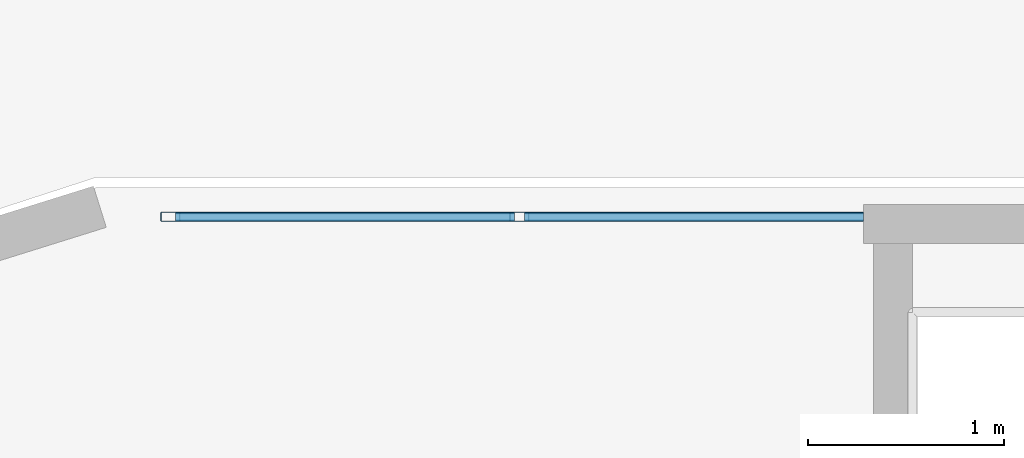
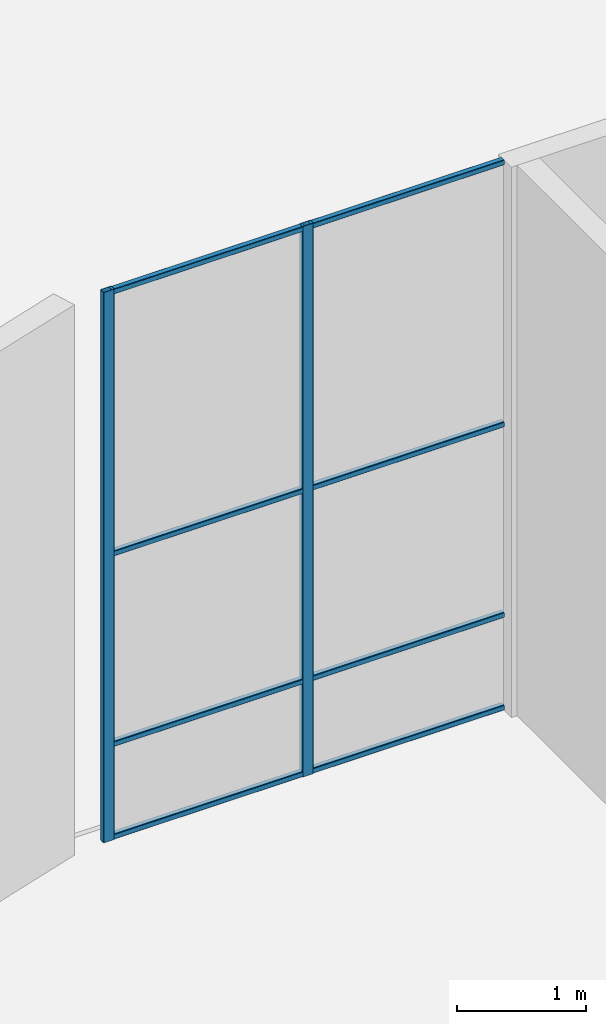
# One storey, part 20 of 72: 10 members, 1 element without a shape of its own.
"""IFC4 building model written with IfcOpenShell, lengths in metres."""

from ifc_helpers import new_model, si_unit, direction, frame, origin, origin_2d, place, context, subcontext, project, spatial, hollow_rectangle, extrude, material, layer, layer_set, material_profile, profile_set, type_object, element, aggregate, save


model = new_model("IFC4")

# Units and contexts
model_context = context("Model", 3, precision=1e-05, world=origin(), true_north=direction((0.0, 1.0)))
body_context = subcontext(model_context, "Body", "Model", "MODEL_VIEW")
ifc_project = project(units=[si_unit("LENGTHUNIT", "METRE"), si_unit("AREAUNIT", "SQUARE_METRE"), si_unit("VOLUMEUNIT", "CUBIC_METRE"), si_unit("PLANEANGLEUNIT", "RADIAN"), si_unit("MASSUNIT", "GRAM", prefix="KILO")], contexts=[model_context])

# Site, building, storey
site_placement = place(None, origin())
site = spatial("IfcSite", under=ifc_project, at=site_placement, CompositionType="ELEMENT")
building_placement = place(site_placement, origin())
building = spatial("IfcBuilding", under=site, at=building_placement, Name="Tuart Plaza Theatre", CompositionType="ELEMENT")
storey_placement = place(building_placement, origin())
storey = spatial("IfcBuildingStorey", under=building, at=storey_placement, Name="L00", CompositionType="ELEMENT", Elevation=0.0)

# Curtain wall, members
ifc_material_1 = material(Name="Aluminium and glass", Category="aluminium")
ifc_layer = layer(ifc_material_1, 0.10009765625)
ifc_layer_set = layer_set([ifc_layer], Name="CURTAIN WALL 1500 module")
curtain_wall_type = type_object("IfcCurtainWallType", Name="CURTAIN WALL 1500 module", PredefinedType="NOTDEFINED", material=ifc_layer_set)
curtain_wall_placement = place(storey_placement, origin())
curtain_wall = element("IfcCurtainWall", 1, at=curtain_wall_placement, inside=storey, type_object=curtain_wall_type, Name="CW10", PredefinedType="NOTDEFINED")
ifc_material_2 = material(Name="Aluminium 6063-T5", Category="aluminium")
ifc_material_profile_1 = material_profile(ifc_material_2, hollow_rectangle(XDim=0.050048828125, YDim=0.10009765625, WallThickness=0.00390625, InnerFilletRadius=0.00390625, OuterFilletRadius=0.008056640625, at=origin_2d()), Name="RHS 100x50x4")
ifc_profile_set_1 = profile_set([ifc_material_profile_1], Name="Aluminium 6063-T5")
member_type_1 = type_object("IfcMemberType", Name="MULLION RHS 100x50x4", PredefinedType="MULLION", material=ifc_profile_set_1)
member_1_placement = place(storey_placement, frame((78.618896484375, 79.8369140625, 0.0), z_axis=(0.0, 0.0, 1.0), x_axis=(0.0, 1.0, 0.0)))
member_1 = element("IfcMember", 2, at=member_1_placement, type_object=member_type_1, Name="CW10 mullion 1", PredefinedType="MULLION", context=body_context, shape_type="SweptSolid", body=[
    extrude(hollow_rectangle(XDim=0.050048828125, YDim=0.10009765625, WallThickness=0.00390625, InnerFilletRadius=0.00390625, OuterFilletRadius=0.008056640625, at=origin_2d()), origin(), (0.0, 0.0, 1.0), 5.199951171875),
])
member_2_placement = place(storey_placement, frame((80.39697265625, 79.8369140625, 0.0), z_axis=(0.0, 0.0, 1.0), x_axis=(0.0, 1.0, 0.0)))
member_2 = element("IfcMember", 3, at=member_2_placement, type_object=member_type_1, Name="CW10 mullion 2", PredefinedType="MULLION", context=body_context, shape_type="SweptSolid", body=[
    extrude(hollow_rectangle(XDim=0.050048828125, YDim=0.10009765625, WallThickness=0.00390625, InnerFilletRadius=0.00390625, OuterFilletRadius=0.008056640625, at=origin_2d()), origin(), (0.0, 0.0, 1.0), 5.199951171875),
])
ifc_material_3 = material(Name="Aluminium 6063-T5", Category="aluminium")
ifc_material_profile_2 = material_profile(ifc_material_3, hollow_rectangle(XDim=0.050048828125, YDim=0.050048828125, WallThickness=0.00390625, InnerFilletRadius=0.00390625, OuterFilletRadius=0.008056640625, at=origin_2d()), Name="RHS 50x50x4")
ifc_profile_set_2 = profile_set([ifc_material_profile_2], Name="Aluminium 6063-T5")
member_type_2 = type_object("IfcMemberType", Name="TRANSOM RHS 50x50x4", PredefinedType="USERDEFINED", material=ifc_profile_set_2)
member_3_placement = place(storey_placement, frame((78.64404296875, 79.8369140625, 0.02490234375), z_axis=(1.0, 0.0, 0.0), x_axis=(0.0, 1.0, 0.0)))
member_3 = element("IfcMember", 4, at=member_3_placement, type_object=member_type_2, Name="CW10 transom 1.1", ObjectType="TRANSOM", PredefinedType="USERDEFINED", context=body_context, shape_type="SweptSolid", body=[
    extrude(hollow_rectangle(XDim=0.050048828125, YDim=0.050048828125, WallThickness=0.00390625, InnerFilletRadius=0.00390625, OuterFilletRadius=0.008056640625, at=origin_2d()), origin(), (0.0, 0.0, 1.0), 1.72802734375),
])
member_4_placement = place(storey_placement, frame((78.64404296875, 79.8369140625, 0.89990234375), z_axis=(1.0, 0.0, 0.0), x_axis=(0.0, 1.0, 0.0)))
member_4 = element("IfcMember", 5, at=member_4_placement, type_object=member_type_2, Name="CW10 transom 1.2", ObjectType="TRANSOM", PredefinedType="USERDEFINED", context=body_context, shape_type="SweptSolid", body=[
    extrude(hollow_rectangle(XDim=0.050048828125, YDim=0.050048828125, WallThickness=0.00390625, InnerFilletRadius=0.00390625, OuterFilletRadius=0.008056640625, at=origin_2d()), origin(), (0.0, 0.0, 1.0), 1.72802734375),
])
member_5_placement = place(storey_placement, frame((78.64404296875, 79.8369140625, 2.699951171875), z_axis=(1.0, 0.0, 0.0), x_axis=(0.0, 1.0, 0.0)))
member_5 = element("IfcMember", 6, at=member_5_placement, type_object=member_type_2, Name="CW10 transom 1.3", ObjectType="TRANSOM", PredefinedType="USERDEFINED", context=body_context, shape_type="SweptSolid", body=[
    extrude(hollow_rectangle(XDim=0.050048828125, YDim=0.050048828125, WallThickness=0.00390625, InnerFilletRadius=0.00390625, OuterFilletRadius=0.008056640625, at=origin_2d()), origin(), (0.0, 0.0, 1.0), 1.72802734375),
])
member_6_placement = place(storey_placement, frame((78.64404296875, 79.8369140625, 5.175048828125), z_axis=(1.0, 0.0, 0.0), x_axis=(0.0, 1.0, 0.0)))
member_6 = element("IfcMember", 7, at=member_6_placement, type_object=member_type_2, Name="CW10 transom 1.4", ObjectType="TRANSOM", PredefinedType="USERDEFINED", context=body_context, shape_type="SweptSolid", body=[
    extrude(hollow_rectangle(XDim=0.050048828125, YDim=0.050048828125, WallThickness=0.00390625, InnerFilletRadius=0.00390625, OuterFilletRadius=0.008056640625, at=origin_2d()), origin(), (0.0, 0.0, 1.0), 1.72802734375),
])
member_7_placement = place(storey_placement, frame((80.422119140625, 79.8369140625, 0.02490234375), z_axis=(1.0, 0.0, 0.0), x_axis=(0.0, 1.0, 0.0)))
member_7 = element("IfcMember", 8, at=member_7_placement, type_object=member_type_2, Name="CW10 transom 2.1", ObjectType="TRANSOM", PredefinedType="USERDEFINED", context=body_context, shape_type="SweptSolid", body=[
    extrude(hollow_rectangle(XDim=0.050048828125, YDim=0.050048828125, WallThickness=0.00390625, InnerFilletRadius=0.00390625, OuterFilletRadius=0.008056640625, at=origin_2d()), origin(), (0.0, 0.0, 1.0), 1.727783203125),
])
member_8_placement = place(storey_placement, frame((80.422119140625, 79.8369140625, 0.89990234375), z_axis=(1.0, 0.0, 0.0), x_axis=(0.0, 1.0, 0.0)))
member_8 = element("IfcMember", 9, at=member_8_placement, type_object=member_type_2, Name="CW10 transom 2.2", ObjectType="TRANSOM", PredefinedType="USERDEFINED", context=body_context, shape_type="SweptSolid", body=[
    extrude(hollow_rectangle(XDim=0.050048828125, YDim=0.050048828125, WallThickness=0.00390625, InnerFilletRadius=0.00390625, OuterFilletRadius=0.008056640625, at=origin_2d()), origin(), (0.0, 0.0, 1.0), 1.727783203125),
])
member_9_placement = place(storey_placement, frame((80.422119140625, 79.8369140625, 2.699951171875), z_axis=(1.0, 0.0, 0.0), x_axis=(0.0, 1.0, 0.0)))
member_9 = element("IfcMember", 10, at=member_9_placement, type_object=member_type_2, Name="CW10 transom 2.3", ObjectType="TRANSOM", PredefinedType="USERDEFINED", context=body_context, shape_type="SweptSolid", body=[
    extrude(hollow_rectangle(XDim=0.050048828125, YDim=0.050048828125, WallThickness=0.00390625, InnerFilletRadius=0.00390625, OuterFilletRadius=0.008056640625, at=origin_2d()), origin(), (0.0, 0.0, 1.0), 1.727783203125),
])
member_10_placement = place(storey_placement, frame((80.422119140625, 79.8369140625, 5.175048828125), z_axis=(1.0, 0.0, 0.0), x_axis=(0.0, 1.0, 0.0)))
member_10 = element("IfcMember", 11, at=member_10_placement, type_object=member_type_2, Name="CW10 transom 2.4", ObjectType="TRANSOM", PredefinedType="USERDEFINED", context=body_context, shape_type="SweptSolid", body=[
    extrude(hollow_rectangle(XDim=0.050048828125, YDim=0.050048828125, WallThickness=0.00390625, InnerFilletRadius=0.00390625, OuterFilletRadius=0.008056640625, at=origin_2d()), origin(), (0.0, 0.0, 1.0), 1.727783203125),
])
aggregate(curtain_wall, [member_1, member_2, member_3, member_4, member_5, member_6, member_7, member_8, member_9, member_10])

save(model, "model.ifc")
